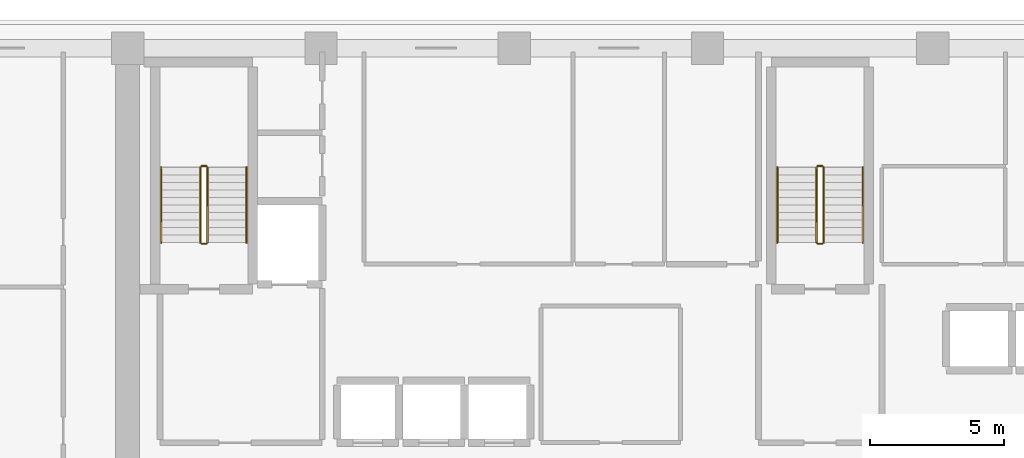
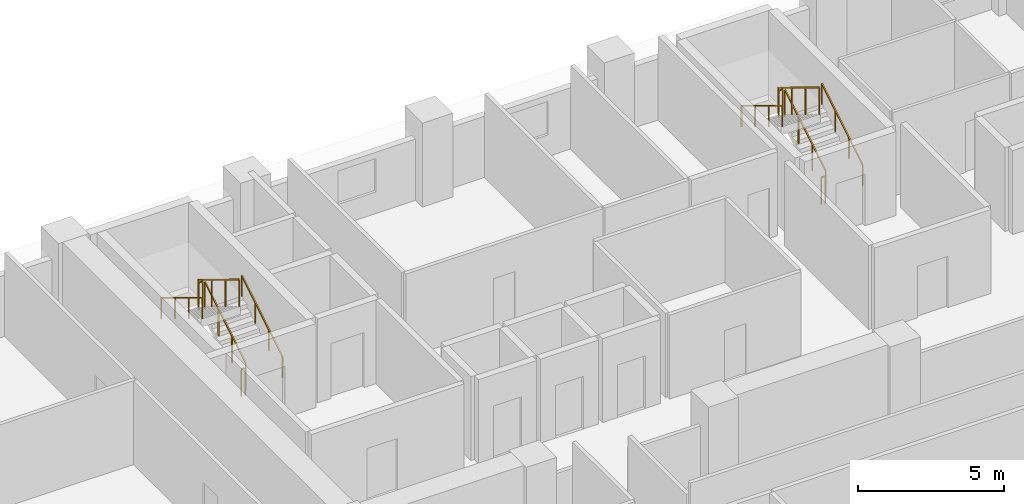
# One storey, part 13 of 15: 12 railings.
"""IFC4 building model written with IfcOpenShell, lengths in metres."""

import ifcopenshell
import ifcopenshell.guid

model = None  # the IFC model being written
_history = None  # IfcOwnerHistory: only IFC2X3 demands one
_inside = {}  # id of a spatial element -> (the spatial element, [elements in it])
_under = {}  # id of a project, library or spatial element -> (it, [spatial elements below it])
_declared = {}  # id of a project -> (the project, [libraries it declares])
_typed = {}  # id of a type object -> (the type object, [elements of that type])
_made_of = {}  # id of a material, layer set ... -> (it, [elements and type objects made of it])


def new_model(schema):
    """Start an empty IFC model of exactly this schema.

    Asked for "IFC4X3", IfcOpenShell would pick the latest addendum, in which some entities
    have other attributes; the version numbers below select the first issue.
    IFC2X3 requires an IfcOwnerHistory on every rooted entity: one is made here for all.
    """
    global model, _history
    if schema == "IFC4X3":
        model = ifcopenshell.file(schema_version=(4, 3, 0, 0))
    else:
        model = ifcopenshell.file(schema=schema)
    _inside.clear()
    _under.clear()
    _declared.clear()
    _typed.clear()
    _made_of.clear()
    _history = None
    if model.schema == "IFC2X3":
        org = make("IfcOrganization", Name="unknown")
        user = make(
            "IfcPersonAndOrganization",
            ThePerson=make("IfcPerson", FamilyName="unknown"),
            TheOrganization=org,
        )
        app = make(
            "IfcApplication",
            ApplicationDeveloper=org,
            Version="unknown",
            ApplicationFullName="unknown",
            ApplicationIdentifier="unknown",
        )
        _history = make(
            "IfcOwnerHistory",
            OwningUser=user,
            OwningApplication=app,
            ChangeAction="ADDED",
            CreationDate=0,
        )
    return model


def make(cls, **values):
    """One entity of the class cls with the attributes given. An attribute that is None is left unset."""
    return model.create_entity(
        cls, **{name: value for name, value in values.items() if value is not None}
    )


def rooted(cls, **values):
    """An entity with a GlobalId (a new one), such as an element, a storey or a relation."""
    return make(cls, GlobalId=ifcopenshell.guid.new(), OwnerHistory=_history, **values)


def si_unit(unit_type, name, prefix=None):
    """IfcSIUnit, for example si_unit("LENGTHUNIT", "METRE", prefix="MILLI")."""
    return make("IfcSIUnit", UnitType=unit_type, Prefix=prefix, Name=name)


def assignment(units):
    """IfcUnitAssignment: the units of a project."""
    return None if units is None else make("IfcUnitAssignment", Units=units)


def point(xyz):
    """IfcCartesianPoint."""
    return None if xyz is None else make("IfcCartesianPoint", Coordinates=xyz)


def direction(xyz):
    """IfcDirection."""
    return None if xyz is None else make("IfcDirection", DirectionRatios=xyz)


def frame(location, z_axis=None, x_axis=None):
    """IfcAxis2Placement3D, a coordinate frame: its origin and axes. An axis left out is left unset."""
    return make(
        "IfcAxis2Placement3D",
        Location=point(location),
        Axis=direction(z_axis),
        RefDirection=direction(x_axis),
    )


def frame_2d(location, x_axis=None):
    """IfcAxis2Placement2D, a coordinate frame in the plane: its origin and x axis."""
    return make(
        "IfcAxis2Placement2D", Location=point(location), RefDirection=direction(x_axis)
    )


def origin():
    """The frame at (0, 0, 0) with its axes left unset."""
    return frame((0.0, 0.0, 0.0))


def origin_2d():
    """The frame at (0, 0) in the plane with its x axis left unset."""
    return frame_2d((0.0, 0.0))


def place(relative_to, where):
    """IfcLocalPlacement: puts the frame where relative to a parent placement (None: the world)."""
    return make(
        "IfcLocalPlacement", PlacementRelTo=relative_to, RelativePlacement=where
    )


def context(
    kind, dimensions, precision=None, world=None, true_north=None, identifier=None
):
    """IfcGeometricRepresentationContext, for example the 3D "Model" context."""
    return make(
        "IfcGeometricRepresentationContext",
        ContextIdentifier=identifier,
        ContextType=kind,
        CoordinateSpaceDimension=dimensions,
        Precision=precision,
        WorldCoordinateSystem=world,
        TrueNorth=true_north,
    )


def subcontext(parent, identifier, kind, view, scale=None):
    """IfcGeometricRepresentationSubContext, for example "Body" below "Model"."""
    return make(
        "IfcGeometricRepresentationSubContext",
        ContextIdentifier=identifier,
        ContextType=kind,
        ParentContext=parent,
        TargetScale=scale,
        TargetView=view,
    )


def project(units=None, contexts=None):
    """IfcProject with its units and contexts."""
    return rooted(
        "IfcProject",
        Name="project",
        RepresentationContexts=contexts,
        UnitsInContext=assignment(units),
    )


def spatial(cls, under=None, at=None, **own):
    """A site, building, storey or space (cls), placed at a placement, below another one or the project."""
    s = rooted(cls, ObjectPlacement=at, **own)
    if under is not None:
        _under.setdefault(under.id(), (under, []))[1].append(s)
    return s


def profile(cls, at=None, kind="AREA", **sizes):
    """A parametric profile (cls). Its sizes go by their IFC names, for example OverallWidth=200.0."""
    return make(cls, ProfileType=kind, Position=at, **sizes)


def rectangle(**sizes):
    """IfcRectangleProfileDef."""
    return profile("IfcRectangleProfileDef", **sizes)


def extrude(swept, where, along, depth):
    """IfcExtrudedAreaSolid: the profile swept, set in the frame where, extruded along a direction by depth."""
    return make(
        "IfcExtrudedAreaSolid",
        SweptArea=swept,
        Position=where,
        ExtrudedDirection=direction(along),
        Depth=depth,
    )


def shape(context_of_items, identifier, shape_type, items):
    """IfcShapeRepresentation: the items that make up one representation, for example the "Body"."""
    return make(
        "IfcShapeRepresentation",
        ContextOfItems=context_of_items,
        RepresentationIdentifier=identifier,
        RepresentationType=shape_type,
        Items=items,
    )


def material(Name=None, Category=None):
    """IfcMaterial."""
    return make("IfcMaterial", Name=Name, Category=Category)


def made_of(thing, what):
    """Note that an element or type object is made of a material, layer set ...; save() writes the relation."""
    if what is not None:
        _made_of.setdefault(what.id(), (what, []))[1].append(thing)
    return thing


def type_object(cls, material=None, **own):
    """A type object (cls), such as IfcWallType, which elements share."""
    return made_of(rooted(cls, **own), material)


def element(
    cls,
    number,
    at=None,
    inside=None,
    cuts=None,
    type_object=None,
    material=None,
    context=None,
    identifier="Body",
    shape_type=None,
    held_by="IfcProductDefinitionShape",
    body=None,
    shapes=None,
    **own,
):
    """One element of the class cls, such as IfcWall. Its Tag is "e" and its number.

    at: its placement. inside: the storey or other place that contains it. cuts: it is an
    opening in that element (IfcRelVoidsElement). A single representation is given by context,
    identifier, shape_type and body (its items); several are given by shapes. held_by: the class
    of the entity that holds the representations. save() writes the other relations.
    """
    e = rooted(cls, Tag="e%d" % number, ObjectPlacement=at, **own)
    if body is not None:
        shapes = [shape(context, identifier, shape_type, body)]
    if shapes is not None:
        e.Representation = make(held_by, Representations=shapes)
    if inside is not None:
        _inside.setdefault(inside.id(), (inside, []))[1].append(e)
    if cuts is not None:
        rooted(
            "IfcRelVoidsElement", RelatingBuildingElement=cuts, RelatedOpeningElement=e
        )
    if type_object is not None:
        _typed.setdefault(type_object.id(), (type_object, []))[1].append(e)
    return made_of(e, material)


def aggregate(whole, parts):
    """IfcRelAggregates: a whole, such as a stair, and the parts it consists of."""
    return rooted("IfcRelAggregates", RelatingObject=whole, RelatedObjects=parts)


def save(model, path):
    """Write the relations noted so far, then the file.

    IfcRelAggregates (storeys below a building ...), IfcRelContainedInSpatialStructure (elements
    in a storey), IfcRelDefinesByType, IfcRelAssociatesMaterial and IfcRelDeclares: one each for
    every whole, place, type object, material and project.
    """
    for whole, parts in _under.values():
        aggregate(whole, parts)
    for where, things in _inside.values():
        rooted(
            "IfcRelContainedInSpatialStructure",
            RelatedElements=things,
            RelatingStructure=where,
        )
    for kind, things in _typed.values():
        rooted("IfcRelDefinesByType", RelatedObjects=things, RelatingType=kind)
    for what, things in _made_of.values():
        rooted("IfcRelAssociatesMaterial", RelatedObjects=things, RelatingMaterial=what)
    for by, libraries in _declared.values():
        rooted("IfcRelDeclares", RelatingContext=by, RelatedDefinitions=libraries)
    model.write(path)


model = new_model("IFC4")

# Units and contexts
model_context = context("Model", 3, precision=1e-05, world=origin(), true_north=direction((0.0, 1.0)))
body_context = subcontext(model_context, "Body", "Model", "MODEL_VIEW")
ifc_project = project(units=[si_unit("LENGTHUNIT", "METRE"), si_unit("AREAUNIT", "SQUARE_METRE"), si_unit("VOLUMEUNIT", "CUBIC_METRE"), si_unit("PLANEANGLEUNIT", "RADIAN"), si_unit("MASSUNIT", "GRAM", prefix="KILO")], contexts=[model_context])

# Site, building, storey
site_placement = place(None, origin())
site = spatial("IfcSite", under=ifc_project, at=site_placement, CompositionType="ELEMENT")
building_placement = place(site_placement, origin())
building = spatial("IfcBuilding", under=site, at=building_placement, Name="Kaelvorn Grand Hotel", CompositionType="ELEMENT")
storey_placement = place(building_placement, frame((0.0, 0.0, 111.800048828125)))
storey = spatial("IfcBuildingStorey", under=building, at=storey_placement, Name="L26", CompositionType="ELEMENT", Elevation=111.800048828125)

# Railings
ifc_material = material(Name="Stainless Steel", Category="steel")
railing_type_1 = type_object("IfcRailingType", Name="RL-HANDRAIL-900", PredefinedType="HANDRAIL", material=ifc_material)
railing_1_placement = place(storey_placement, frame((20.6298828125, 41.760009765625, 0.17041015625)))
element("IfcRailing", 1, at=railing_1_placement, inside=storey, type_object=railing_type_1, Name="L26 ST1 stair handrail 1", PredefinedType="HANDRAIL", context=body_context, shape_type="SweptSolid", body=[
    extrude(rectangle(XDim=0.048095703125, YDim=0.048095703125, at=origin_2d()), frame((0.0, 0.0, 0.8759765625), z_axis=(0.0, 0.854169791009, 0.51999420009), x_axis=(-1.0, 0.0, 0.0)), (0.0, 0.0, 1.0), 3.278076171875),
    extrude(rectangle(XDim=0.0419921875, YDim=0.0419921875, at=origin_2d()), origin(), (0.0, 0.0, 1.0), 0.851806640625),
    extrude(rectangle(XDim=0.0419921875, YDim=0.0419921875, at=origin_2d()), frame((0.0, 0.933349609375, 0.568115234375)), (0.0, 0.0, 1.0), 0.851806640625),
    extrude(rectangle(XDim=0.0419921875, YDim=0.0419921875, at=origin_2d()), frame((0.0, 1.86669921875, 1.136474609375)), (0.0, 0.0, 1.0), 0.851806640625),
    extrude(rectangle(XDim=0.0419921875, YDim=0.0419921875, at=origin_2d()), frame((0.0, 2.800048828125, 1.70458984375)), (0.0, 0.0, 1.0), 0.851806640625),
])
railing_2_placement = place(storey_placement, frame((17.449951171875, 44.56005859375, 2.04541015625)))
element("IfcRailing", 2, at=railing_2_placement, inside=storey, type_object=railing_type_1, Name="L26 ST1 stair handrail 2", PredefinedType="HANDRAIL", context=body_context, shape_type="SweptSolid", body=[
    extrude(rectangle(XDim=0.048095703125, YDim=0.048095703125, at=origin_2d()), frame((0.0, 0.0, 0.8759765625), z_axis=(0.0, -0.854169791009, 0.51999420009), x_axis=(1.0, 0.0, 0.0)), (0.0, 0.0, 1.0), 3.278076171875),
    extrude(rectangle(XDim=0.0419921875, YDim=0.0419921875, at=origin_2d()), origin(), (0.0, 0.0, 1.0), 0.851806640625),
    extrude(rectangle(XDim=0.0419921875, YDim=0.0419921875, at=origin_2d()), frame((0.0, -0.933349609375, 0.568115234375)), (0.0, 0.0, 1.0), 0.851806640625),
    extrude(rectangle(XDim=0.0419921875, YDim=0.0419921875, at=origin_2d()), frame((0.0, -1.86669921875, 1.136474609375)), (0.0, 0.0, 1.0), 0.851806640625),
    extrude(rectangle(XDim=0.0419921875, YDim=0.0419921875, at=origin_2d()), frame((0.0, -2.800048828125, 1.70458984375)), (0.0, 0.0, 1.0), 0.851806640625),
])
railing_3_placement = place(storey_placement, frame((43.590087890625, 41.760009765625, 0.17041015625)))
element("IfcRailing", 3, at=railing_3_placement, inside=storey, type_object=railing_type_1, Name="L26 ST2 stair handrail 1", PredefinedType="HANDRAIL", context=body_context, shape_type="SweptSolid", body=[
    extrude(rectangle(XDim=0.048095703125, YDim=0.048095703125, at=origin_2d()), frame((0.0, 0.0, 0.8759765625), z_axis=(0.0, 0.854169791009, 0.51999420009), x_axis=(-1.0, 0.0, 0.0)), (0.0, 0.0, 1.0), 3.278076171875),
    extrude(rectangle(XDim=0.0419921875, YDim=0.0419921875, at=origin_2d()), origin(), (0.0, 0.0, 1.0), 0.851806640625),
    extrude(rectangle(XDim=0.0419921875, YDim=0.0419921875, at=origin_2d()), frame((0.0, 0.933349609375, 0.568115234375)), (0.0, 0.0, 1.0), 0.851806640625),
    extrude(rectangle(XDim=0.0419921875, YDim=0.0419921875, at=origin_2d()), frame((0.0, 1.86669921875, 1.136474609375)), (0.0, 0.0, 1.0), 0.851806640625),
    extrude(rectangle(XDim=0.0419921875, YDim=0.0419921875, at=origin_2d()), frame((0.0, 2.800048828125, 1.70458984375)), (0.0, 0.0, 1.0), 0.851806640625),
])
railing_4_placement = place(storey_placement, frame((40.409912109375, 44.56005859375, 2.04541015625)))
element("IfcRailing", 4, at=railing_4_placement, inside=storey, type_object=railing_type_1, Name="L26 ST2 stair handrail 2", PredefinedType="HANDRAIL", context=body_context, shape_type="SweptSolid", body=[
    extrude(rectangle(XDim=0.048095703125, YDim=0.048095703125, at=origin_2d()), frame((0.0, 0.0, 0.8759765625), z_axis=(0.0, -0.854169791009, 0.51999420009), x_axis=(1.0, 0.0, 0.0)), (0.0, 0.0, 1.0), 3.278076171875),
    extrude(rectangle(XDim=0.0419921875, YDim=0.0419921875, at=origin_2d()), origin(), (0.0, 0.0, 1.0), 0.851806640625),
    extrude(rectangle(XDim=0.0419921875, YDim=0.0419921875, at=origin_2d()), frame((0.0, -0.933349609375, 0.568115234375)), (0.0, 0.0, 1.0), 0.851806640625),
    extrude(rectangle(XDim=0.0419921875, YDim=0.0419921875, at=origin_2d()), frame((0.0, -1.86669921875, 1.136474609375)), (0.0, 0.0, 1.0), 0.851806640625),
    extrude(rectangle(XDim=0.0419921875, YDim=0.0419921875, at=origin_2d()), frame((0.0, -2.800048828125, 1.70458984375)), (0.0, 0.0, 1.0), 0.851806640625),
])
railing_type_2 = type_object("IfcRailingType", Name="RL-STAIR-GUARD-1150", PredefinedType="BALUSTRADE", material=ifc_material)
railing_5_placement = place(storey_placement, frame((19.169921875, 41.760009765625, 0.17041015625)))
element("IfcRailing", 5, at=railing_5_placement, inside=storey, type_object=railing_type_2, Name="L26 ST1 stair guard 1", PredefinedType="BALUSTRADE", context=body_context, shape_type="SweptSolid", body=[
    extrude(rectangle(XDim=0.048095703125, YDim=0.048095703125, at=origin_2d()), frame((0.0, 0.0, 1.1259765625), z_axis=(0.0, 0.854169791009, 0.51999420009), x_axis=(-1.0, 0.0, 0.0)), (0.0, 0.0, 1.0), 3.278076171875),
    extrude(rectangle(XDim=0.0419921875, YDim=0.0419921875, at=origin_2d()), origin(), (0.0, 0.0, 1.0), 1.101806640625),
    extrude(rectangle(XDim=0.0419921875, YDim=0.0419921875, at=origin_2d()), frame((0.0, 0.933349609375, 0.568115234375)), (0.0, 0.0, 1.0), 1.101806640625),
    extrude(rectangle(XDim=0.0419921875, YDim=0.0419921875, at=origin_2d()), frame((0.0, 1.86669921875, 1.136474609375)), (0.0, 0.0, 1.0), 1.101806640625),
    extrude(rectangle(XDim=0.0419921875, YDim=0.0419921875, at=origin_2d()), frame((0.0, 2.800048828125, 1.70458984375)), (0.0, 0.0, 1.0), 1.101806640625),
])
railing_6_placement = place(storey_placement, frame((19.1201171875, 44.610107421875, 1.875)))
element("IfcRailing", 6, at=railing_6_placement, inside=storey, type_object=railing_type_2, Name="L26 ST1 stair guard 2", PredefinedType="BALUSTRADE", context=body_context, shape_type="SweptSolid", body=[
    extrude(rectangle(XDim=0.048095703125, YDim=0.048095703125, at=origin_2d()), frame((0.0, 0.0, 1.1259765625), z_axis=(-1.0, 0.0, 0.0), x_axis=(0.0, -1.0, 0.0)), (0.0, 0.0, 1.0), 0.16015625),
    extrude(rectangle(XDim=0.0419921875, YDim=0.0419921875, at=origin_2d()), origin(), (0.0, 0.0, 1.0), 1.101806640625),
    extrude(rectangle(XDim=0.0419921875, YDim=0.0419921875, at=origin_2d()), frame((-0.16015625, 0.0, 0.0)), (0.0, 0.0, 1.0), 1.101806640625),
])
railing_7_placement = place(storey_placement, frame((18.909912109375, 44.56005859375, 2.04541015625)))
element("IfcRailing", 7, at=railing_7_placement, inside=storey, type_object=railing_type_2, Name="L26 ST1 stair guard 3", PredefinedType="BALUSTRADE", context=body_context, shape_type="SweptSolid", body=[
    extrude(rectangle(XDim=0.048095703125, YDim=0.048095703125, at=origin_2d()), frame((0.0, 0.0, 1.1259765625), z_axis=(0.0, -0.854169791009, 0.51999420009), x_axis=(1.0, 0.0, 0.0)), (0.0, 0.0, 1.0), 3.278076171875),
    extrude(rectangle(XDim=0.0419921875, YDim=0.0419921875, at=origin_2d()), origin(), (0.0, 0.0, 1.0), 1.101806640625),
    extrude(rectangle(XDim=0.0419921875, YDim=0.0419921875, at=origin_2d()), frame((0.0, -0.933349609375, 0.568115234375)), (0.0, 0.0, 1.0), 1.101806640625),
    extrude(rectangle(XDim=0.0419921875, YDim=0.0419921875, at=origin_2d()), frame((0.0, -1.86669921875, 1.136474609375)), (0.0, 0.0, 1.0), 1.101806640625),
    extrude(rectangle(XDim=0.0419921875, YDim=0.0419921875, at=origin_2d()), frame((0.0, -2.800048828125, 1.70458984375)), (0.0, 0.0, 1.0), 1.101806640625),
])
railing_8_placement = place(storey_placement, frame((19.1201171875, 41.7099609375, 0.0)))
element("IfcRailing", 8, at=railing_8_placement, inside=storey, type_object=railing_type_2, Name="L26 ST1 stair guard 4", PredefinedType="BALUSTRADE", context=body_context, shape_type="SweptSolid", body=[
    extrude(rectangle(XDim=0.048095703125, YDim=0.048095703125, at=origin_2d()), frame((0.0, 0.0, 1.1259765625), z_axis=(-1.0, 0.0, 0.0), x_axis=(0.0, -1.0, 0.0)), (0.0, 0.0, 1.0), 0.16015625),
    extrude(rectangle(XDim=0.0419921875, YDim=0.0419921875, at=origin_2d()), origin(), (0.0, 0.0, 1.0), 1.101806640625),
    extrude(rectangle(XDim=0.0419921875, YDim=0.0419921875, at=origin_2d()), frame((-0.16015625, 0.0, 0.0)), (0.0, 0.0, 1.0), 1.101806640625),
])
railing_9_placement = place(storey_placement, frame((42.1298828125, 41.760009765625, 0.17041015625)))
element("IfcRailing", 9, at=railing_9_placement, inside=storey, type_object=railing_type_2, Name="L26 ST2 stair guard 1", PredefinedType="BALUSTRADE", context=body_context, shape_type="SweptSolid", body=[
    extrude(rectangle(XDim=0.048095703125, YDim=0.048095703125, at=origin_2d()), frame((0.0, 0.0, 1.1259765625), z_axis=(0.0, 0.854169791009, 0.51999420009), x_axis=(-1.0, 0.0, 0.0)), (0.0, 0.0, 1.0), 3.278076171875),
    extrude(rectangle(XDim=0.0419921875, YDim=0.0419921875, at=origin_2d()), origin(), (0.0, 0.0, 1.0), 1.101806640625),
    extrude(rectangle(XDim=0.0419921875, YDim=0.0419921875, at=origin_2d()), frame((0.0, 0.933349609375, 0.568115234375)), (0.0, 0.0, 1.0), 1.101806640625),
    extrude(rectangle(XDim=0.0419921875, YDim=0.0419921875, at=origin_2d()), frame((0.0, 1.86669921875, 1.136474609375)), (0.0, 0.0, 1.0), 1.101806640625),
    extrude(rectangle(XDim=0.0419921875, YDim=0.0419921875, at=origin_2d()), frame((0.0, 2.800048828125, 1.70458984375)), (0.0, 0.0, 1.0), 1.101806640625),
])
railing_10_placement = place(storey_placement, frame((42.080078125, 44.610107421875, 1.875)))
element("IfcRailing", 10, at=railing_10_placement, inside=storey, type_object=railing_type_2, Name="L26 ST2 stair guard 2", PredefinedType="BALUSTRADE", context=body_context, shape_type="SweptSolid", body=[
    extrude(rectangle(XDim=0.048095703125, YDim=0.048095703125, at=origin_2d()), frame((0.0, 0.0, 1.1259765625), z_axis=(-1.0, 0.0, 0.0), x_axis=(0.0, -1.0, 0.0)), (0.0, 0.0, 1.0), 0.16015625),
    extrude(rectangle(XDim=0.0419921875, YDim=0.0419921875, at=origin_2d()), origin(), (0.0, 0.0, 1.0), 1.101806640625),
    extrude(rectangle(XDim=0.0419921875, YDim=0.0419921875, at=origin_2d()), frame((-0.16015625, 0.0, 0.0)), (0.0, 0.0, 1.0), 1.101806640625),
])
railing_11_placement = place(storey_placement, frame((41.8701171875, 44.56005859375, 2.04541015625)))
element("IfcRailing", 11, at=railing_11_placement, inside=storey, type_object=railing_type_2, Name="L26 ST2 stair guard 3", PredefinedType="BALUSTRADE", context=body_context, shape_type="SweptSolid", body=[
    extrude(rectangle(XDim=0.048095703125, YDim=0.048095703125, at=origin_2d()), frame((0.0, 0.0, 1.1259765625), z_axis=(0.0, -0.854169791009, 0.51999420009), x_axis=(1.0, 0.0, 0.0)), (0.0, 0.0, 1.0), 3.278076171875),
    extrude(rectangle(XDim=0.0419921875, YDim=0.0419921875, at=origin_2d()), origin(), (0.0, 0.0, 1.0), 1.101806640625),
    extrude(rectangle(XDim=0.0419921875, YDim=0.0419921875, at=origin_2d()), frame((0.0, -0.933349609375, 0.568115234375)), (0.0, 0.0, 1.0), 1.101806640625),
    extrude(rectangle(XDim=0.0419921875, YDim=0.0419921875, at=origin_2d()), frame((0.0, -1.86669921875, 1.136474609375)), (0.0, 0.0, 1.0), 1.101806640625),
    extrude(rectangle(XDim=0.0419921875, YDim=0.0419921875, at=origin_2d()), frame((0.0, -2.800048828125, 1.70458984375)), (0.0, 0.0, 1.0), 1.101806640625),
])
railing_12_placement = place(storey_placement, frame((42.080078125, 41.7099609375, 0.0)))
element("IfcRailing", 12, at=railing_12_placement, inside=storey, type_object=railing_type_2, Name="L26 ST2 stair guard 4", PredefinedType="BALUSTRADE", context=body_context, shape_type="SweptSolid", body=[
    extrude(rectangle(XDim=0.048095703125, YDim=0.048095703125, at=origin_2d()), frame((0.0, 0.0, 1.1259765625), z_axis=(-1.0, 0.0, 0.0), x_axis=(0.0, -1.0, 0.0)), (0.0, 0.0, 1.0), 0.16015625),
    extrude(rectangle(XDim=0.0419921875, YDim=0.0419921875, at=origin_2d()), origin(), (0.0, 0.0, 1.0), 1.101806640625),
    extrude(rectangle(XDim=0.0419921875, YDim=0.0419921875, at=origin_2d()), frame((-0.16015625, 0.0, 0.0)), (0.0, 0.0, 1.0), 1.101806640625),
])

save(model, "model.ifc")
